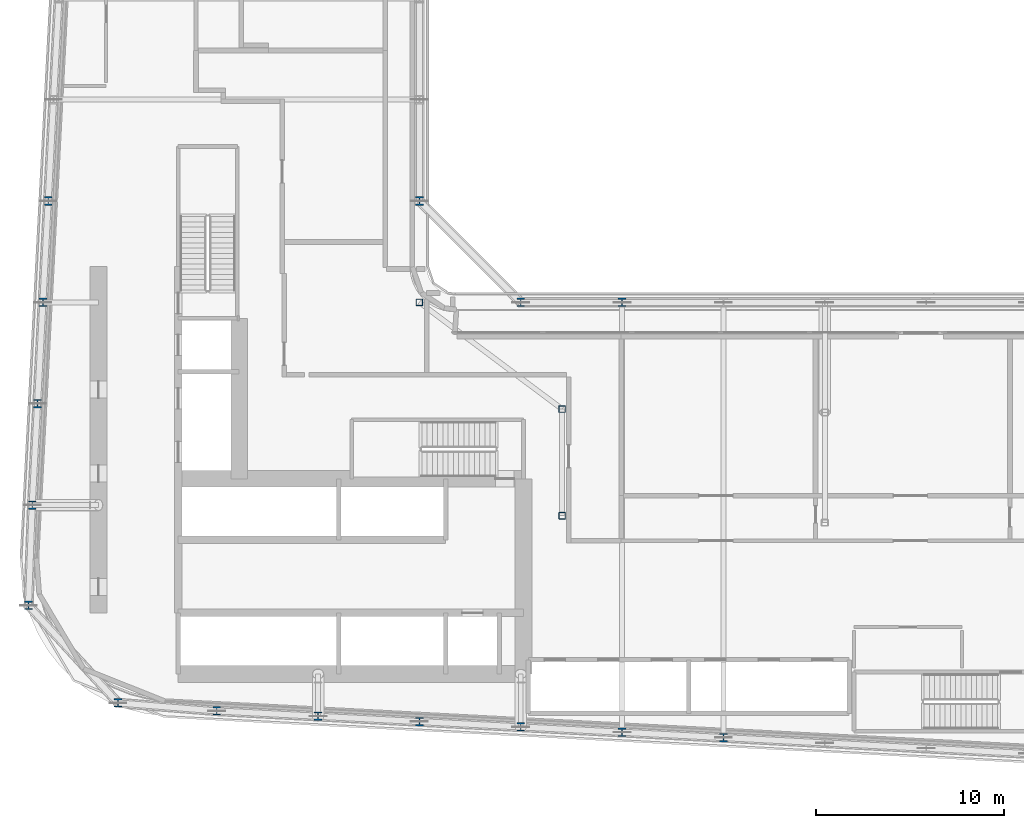
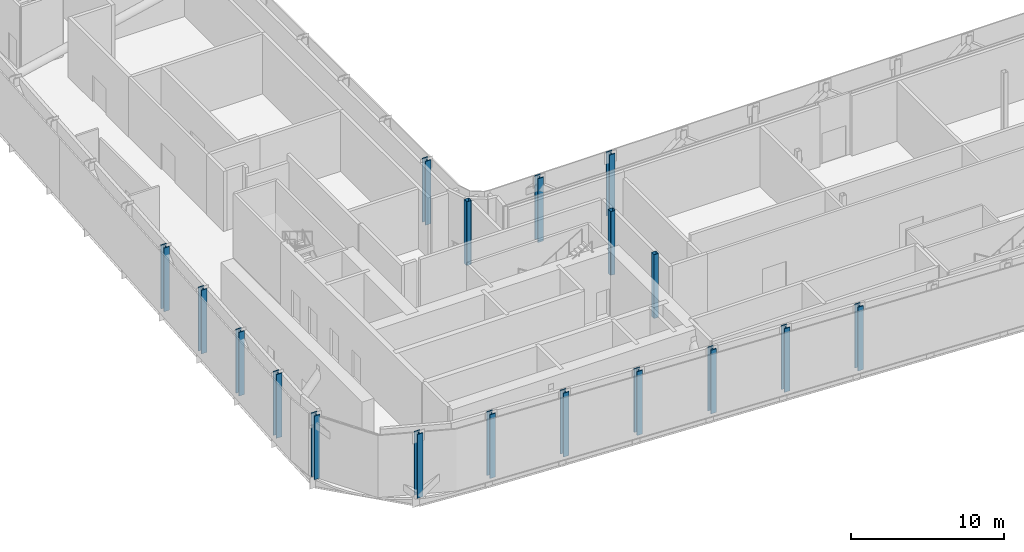
# One storey, part 1 of 30: 18 columns.
"""IFC4 building model written with IfcOpenShell, lengths in metres."""

from ifc_helpers import new_model, si_unit, direction, frame, origin, origin_2d, place, context, subcontext, project, spatial, hollow_rectangle, i_section, extrude, material, material_profile, profile_set, type_object, element, save


model = new_model("IFC4")

# Units and contexts
model_context = context("Model", 3, precision=1e-05, world=origin(), true_north=direction((0.0, 1.0)))
body_context = subcontext(model_context, "Body", "Model", "MODEL_VIEW")
ifc_project = project(units=[si_unit("LENGTHUNIT", "METRE"), si_unit("AREAUNIT", "SQUARE_METRE"), si_unit("VOLUMEUNIT", "CUBIC_METRE"), si_unit("PLANEANGLEUNIT", "RADIAN"), si_unit("MASSUNIT", "GRAM", prefix="KILO")], contexts=[model_context])

# Site, building, storey
site_placement = place(None, origin())
site = spatial("IfcSite", under=ifc_project, at=site_placement, CompositionType="ELEMENT")
building_placement = place(site_placement, origin())
building = spatial("IfcBuilding", under=site, at=building_placement, Name="Kheshtan School and Residences Tower", CompositionType="ELEMENT")
storey_placement = place(building_placement, frame((0.0, 0.0, 89.0)))
storey = spatial("IfcBuildingStorey", under=building, at=storey_placement, Name="L20", CompositionType="ELEMENT", Elevation=89.0)

# Columns
ifc_material_1 = material(Name="Steel ASTM A992 Grade 50", Category="steel")
ifc_material_profile_1 = material_profile(ifc_material_1, i_section(OverallWidth=0.41796875, OverallDepth=0.455078125, WebThickness=0.042236328125, FlangeThickness=0.067626953125, FilletRadius=0.013671875, at=origin_2d()), Name="W360x551")
ifc_profile_set_1 = profile_set([ifc_material_profile_1], Name="Steel ASTM A992 Grade 50")
column_type_1 = type_object("IfcColumnType", Name="Column C2 W360x551 ASTM A992 Grade 50", PredefinedType="COLUMN", material=ifc_profile_set_1)
for number, where, z_axis, x_axis, name in (
    (1, (63.800048828125, 22.410888671875, 0.0), (0.0, 0.0, 1.0), (1.0, 0.0, 0.0), "Column C016"),
    (2, (58.39990234375, 22.695068359375, 0.0), (0.0, 0.0, 1.0), (1.0, 0.0, 0.0), "Column C018"),
    (3, (53.0, 22.97998046875, 0.0), (0.0, 0.0, 1.0), (1.0, 0.0, 0.0), "Column C019"),
    (4, (47.60009765625, 23.263916015625, 0.0), (0.0, 0.0, 1.0), (1.0, 0.0, 0.0), "Column C020"),
    (5, (42.199951171875, 23.548095703125, 0.0), (0.0, 0.0, 1.0), (1.0, 0.0, 0.0), "Column C021"),
    (6, (36.800048828125, 23.83203125, 0.0), (0.0, 0.0, 1.0), (1.0, 0.0, 0.0), "Column C022"),
    (7, (31.5419921875, 24.257080078125, 0.0), (0.0, 0.0, 1.0), (1.0, 0.0, 0.0), "Column C025"),
    (8, (26.76904296875, 29.4541015625, 0.0), (0.0, 0.0, 1.0), (1.0, 0.0, 0.0), "Column C038"),
    (9, (26.968994140625, 34.800048828125, 0.0), (0.0, 0.0, 1.0), (1.0, 0.0, 0.0), "Column C052"),
    (10, (27.2529296875, 40.199951171875, 0.0), (0.0, 0.0, 1.0), (1.0, 0.0, 0.0), "Column C056"),
    (11, (27.537109375, 45.60009765625, 0.0), (0.0, 0.0, 1.0), (1.0, 0.0, 0.0), "Column C059"),
    (12, (53.0, 45.60009765625, 0.0), (0.0, 0.0, 1.0), (1.0, 0.0, 0.0), "Column C061"),
    (13, (58.39990234375, 45.60009765625, 0.0), (0.0, 0.0, 1.0), (1.0, 0.0, 0.0), "Column C062"),
    (14, (27.822021484375, 51.0, 0.0), (0.0, 0.0, 1.0), (1.0, 0.0, 0.0), "Column C078"),
    (15, (47.60009765625, 51.0, 0.0), (0.0, 0.0, 1.0), (1.0, 0.0, 0.0), "Column C079"),
):
    element("IfcColumn", number, at=place(storey_placement, frame(where, z_axis=z_axis, x_axis=x_axis)), inside=storey, type_object=column_type_1, Name=name, PredefinedType="COLUMN", context=body_context, shape_type="SweptSolid", body=[
        extrude(i_section(OverallWidth=0.41796875, OverallDepth=0.455078125, WebThickness=0.042236328125, FlangeThickness=0.067626953125, FilletRadius=0.013671875, at=origin_2d()), origin(), (0.0, 0.0, 1.0), 5.10009765625),
    ])
ifc_material_2 = material(Name="Steel ASTM A500 Grade C", Category="steel")
ifc_material_profile_2 = material_profile(ifc_material_2, hollow_rectangle(XDim=0.35595703125, YDim=0.35595703125, WallThickness=0.015869140625, InnerFilletRadius=0.015869140625, OuterFilletRadius=0.03173828125, at=origin_2d()), Name="HSS 356x356x15.9")
ifc_profile_set_2 = profile_set([ifc_material_profile_2], Name="Steel ASTM A500 Grade C")
column_type_2 = type_object("IfcColumnType", Name="Column IC1 HSS 356x356x15.9 ASTM A500 Grade C", PredefinedType="COLUMN", material=ifc_profile_set_2)
for number, where, z_axis, x_axis, name in (
    (16, (55.199951171875, 34.23193359375, 0.0), (0.0, 0.0, 1.0), (1.0, 0.0, 0.0), "Column C051"),
    (17, (55.199951171875, 39.916015625, 0.0), (0.0, 0.0, 1.0), (1.0, 0.0, 0.0), "Column C055"),
    (18, (47.60009765625, 45.60009765625, 0.0), (0.0, 0.0, 1.0), (1.0, 0.0, 0.0), "Column C060"),
):
    element("IfcColumn", number, at=place(storey_placement, frame(where, z_axis=z_axis, x_axis=x_axis)), inside=storey, type_object=column_type_2, Name=name, PredefinedType="COLUMN", context=body_context, shape_type="SweptSolid", body=[
        extrude(hollow_rectangle(XDim=0.35595703125, YDim=0.35595703125, WallThickness=0.015869140625, InnerFilletRadius=0.015869140625, OuterFilletRadius=0.03173828125, at=origin_2d()), origin(), (0.0, 0.0, 1.0), 5.10009765625),
    ])

save(model, "model.ifc")
